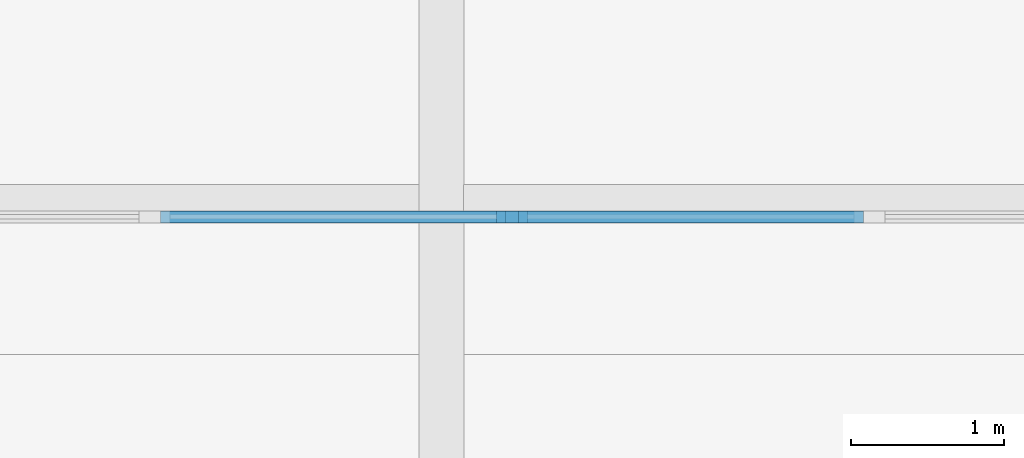
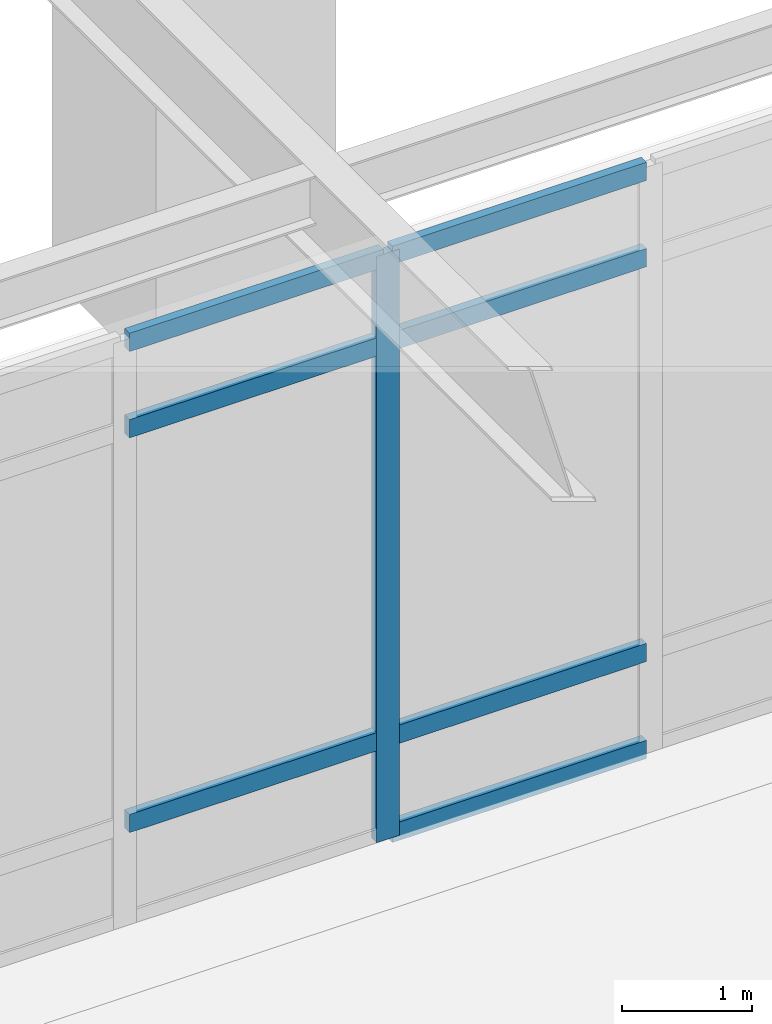
# One storey, part 4 of 17: 8 members, 1 element without a shape of its own.
"""IFC4 building model written with IfcOpenShell, lengths in metres."""

from ifc_helpers import new_model, si_unit, direction, frame, origin, origin_2d, place, context, subcontext, project, spatial, rectangle, extrude, material, layer, layer_set, material_profile, profile_set, type_object, element, aggregate, save


model = new_model("IFC4")

# Units and contexts
model_context = context("Model", 3, precision=1e-05, world=origin(), true_north=direction((0.0, 1.0)))
body_context = subcontext(model_context, "Body", "Model", "MODEL_VIEW")
ifc_project = project(units=[si_unit("LENGTHUNIT", "METRE"), si_unit("AREAUNIT", "SQUARE_METRE"), si_unit("VOLUMEUNIT", "CUBIC_METRE"), si_unit("PLANEANGLEUNIT", "RADIAN"), si_unit("MASSUNIT", "GRAM", prefix="KILO")], contexts=[model_context])

# Site, building, storey
site_placement = place(None, origin())
site = spatial("IfcSite", under=ifc_project, at=site_placement, CompositionType="ELEMENT")
building_placement = place(site_placement, origin())
building = spatial("IfcBuilding", under=site, at=building_placement, Name="Nhamokura Convention Tower", CompositionType="ELEMENT")
storey_placement = place(building_placement, origin())
storey = spatial("IfcBuildingStorey", under=building, at=storey_placement, Name="L00", CompositionType="ELEMENT", Elevation=0.0)

# Curtain wall, members
ifc_material_1 = material(Name="Anodised bronze aluminium AA6063-T6", Category="aluminium")
ifc_layer = layer(ifc_material_1, 0.179931640625)
ifc_layer_set = layer_set([ifc_layer], Name="CWSystem_PodiumConcourse")
curtain_wall_type = type_object("IfcCurtainWallType", Name="CWSystem_PodiumConcourse", PredefinedType="NOTDEFINED", material=ifc_layer_set)
curtain_wall_placement = place(storey_placement, origin())
curtain_wall = element("IfcCurtainWall", 1, at=curtain_wall_placement, inside=storey, type_object=curtain_wall_type, Name="L00 Curtain Wall ENV-L00-CW-NCW", PredefinedType="NOTDEFINED")
ifc_material_2 = material(Name="Anodised bronze aluminium AA6063-T6", Category="aluminium")
ifc_material_profile_1 = material_profile(ifc_material_2, rectangle(XDim=0.077880859375, YDim=0.201904296875, at=origin_2d()))
ifc_profile_set_1 = profile_set([ifc_material_profile_1], Name="Anodised bronze aluminium AA6063-T6")
member_type_1 = type_object("IfcMemberType", Name="CWMullion_1", PredefinedType="MULLION", material=ifc_profile_set_1)
member_1_placement = place(storey_placement, frame((29.66259765625, 57.0, 0.0), z_axis=(0.0, 0.0, 1.0), x_axis=(0.0, 1.0, 0.0)))
member_1 = element("IfcMember", 2, at=member_1_placement, type_object=member_type_1, Name="CW-01 mullion 4", PredefinedType="MULLION", context=body_context, shape_type="SweptSolid", body=[
    extrude(rectangle(XDim=0.077880859375, YDim=0.201904296875, at=origin_2d()), origin(), (0.0, 0.0, 1.0), 5.510009765625),
])
ifc_material_3 = material(Name="Anodised bronze aluminium AA6063-T6", Category="aluminium")
ifc_material_profile_2 = material_profile(ifc_material_3, rectangle(XDim=0.077880859375, YDim=0.172119140625, at=origin_2d()))
ifc_profile_set_2 = profile_set([ifc_material_profile_2], Name="Anodised bronze aluminium AA6063-T6")
member_type_2 = type_object("IfcMemberType", Name="CWTransom_1", PredefinedType="USERDEFINED", material=ifc_profile_set_2)
member_2_placement = place(storey_placement, frame((27.364013671875, 57.0, 0.949951171875), z_axis=(1.0, 0.0, 0.0), x_axis=(0.0, 1.0, 0.0)))
member_2 = element("IfcMember", 3, at=member_2_placement, type_object=member_type_2, Name="CW-01 transom 3.2", ObjectType="TRANSOM", PredefinedType="USERDEFINED", context=body_context, shape_type="SweptSolid", body=[
    extrude(rectangle(XDim=0.077880859375, YDim=0.172119140625, at=origin_2d()), origin(), (0.0, 0.0, 1.0), 2.259521484375),
])
member_3_placement = place(storey_placement, frame((27.364013671875, 57.0, 4.659912109375), z_axis=(1.0, 0.0, 0.0), x_axis=(0.0, 1.0, 0.0)))
member_3 = element("IfcMember", 4, at=member_3_placement, type_object=member_type_2, Name="CW-01 transom 3.3", ObjectType="TRANSOM", PredefinedType="USERDEFINED", context=body_context, shape_type="SweptSolid", body=[
    extrude(rectangle(XDim=0.077880859375, YDim=0.172119140625, at=origin_2d()), origin(), (0.0, 0.0, 1.0), 2.259521484375),
])
member_4_placement = place(storey_placement, frame((27.364013671875, 57.0, 5.470947265625), z_axis=(1.0, 0.0, 0.0), x_axis=(0.0, 1.0, 0.0)))
member_4 = element("IfcMember", 5, at=member_4_placement, type_object=member_type_2, Name="CW-01 transom 3.4", ObjectType="TRANSOM", PredefinedType="USERDEFINED", context=body_context, shape_type="SweptSolid", body=[
    extrude(rectangle(XDim=0.077880859375, YDim=0.172119140625, at=origin_2d()), origin(), (0.0, 0.0, 1.0), 2.259521484375),
])
member_5_placement = place(storey_placement, frame((29.701416015625, 57.0, 0.0390625), z_axis=(1.0, 0.0, 0.0), x_axis=(0.0, 1.0, 0.0)))
member_5 = element("IfcMember", 6, at=member_5_placement, type_object=member_type_2, Name="CW-01 transom 4.1", ObjectType="TRANSOM", PredefinedType="USERDEFINED", context=body_context, shape_type="SweptSolid", body=[
    extrude(rectangle(XDim=0.077880859375, YDim=0.172119140625, at=origin_2d()), origin(), (0.0, 0.0, 1.0), 2.259521484375),
])
member_6_placement = place(storey_placement, frame((29.701416015625, 57.0, 0.949951171875), z_axis=(1.0, 0.0, 0.0), x_axis=(0.0, 1.0, 0.0)))
member_6 = element("IfcMember", 7, at=member_6_placement, type_object=member_type_2, Name="CW-01 transom 4.2", ObjectType="TRANSOM", PredefinedType="USERDEFINED", context=body_context, shape_type="SweptSolid", body=[
    extrude(rectangle(XDim=0.077880859375, YDim=0.172119140625, at=origin_2d()), origin(), (0.0, 0.0, 1.0), 2.259521484375),
])
member_7_placement = place(storey_placement, frame((29.701416015625, 57.0, 4.659912109375), z_axis=(1.0, 0.0, 0.0), x_axis=(0.0, 1.0, 0.0)))
member_7 = element("IfcMember", 8, at=member_7_placement, type_object=member_type_2, Name="CW-01 transom 4.3", ObjectType="TRANSOM", PredefinedType="USERDEFINED", context=body_context, shape_type="SweptSolid", body=[
    extrude(rectangle(XDim=0.077880859375, YDim=0.172119140625, at=origin_2d()), origin(), (0.0, 0.0, 1.0), 2.259521484375),
])
member_8_placement = place(storey_placement, frame((29.701416015625, 57.0, 5.470947265625), z_axis=(1.0, 0.0, 0.0), x_axis=(0.0, 1.0, 0.0)))
member_8 = element("IfcMember", 9, at=member_8_placement, type_object=member_type_2, Name="CW-01 transom 4.4", ObjectType="TRANSOM", PredefinedType="USERDEFINED", context=body_context, shape_type="SweptSolid", body=[
    extrude(rectangle(XDim=0.077880859375, YDim=0.172119140625, at=origin_2d()), origin(), (0.0, 0.0, 1.0), 2.259521484375),
])
aggregate(curtain_wall, [member_1, member_2, member_3, member_4, member_5, member_6, member_7, member_8])

save(model, "model.ifc")
